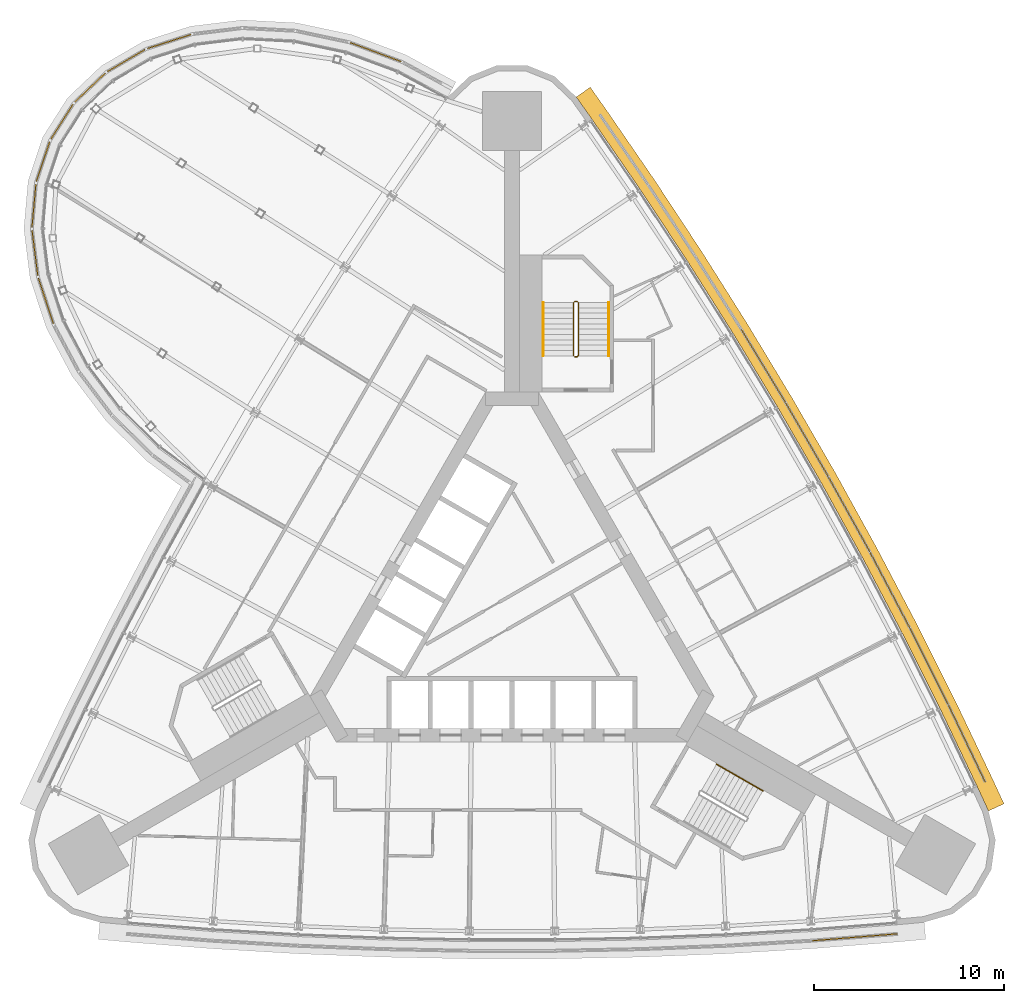
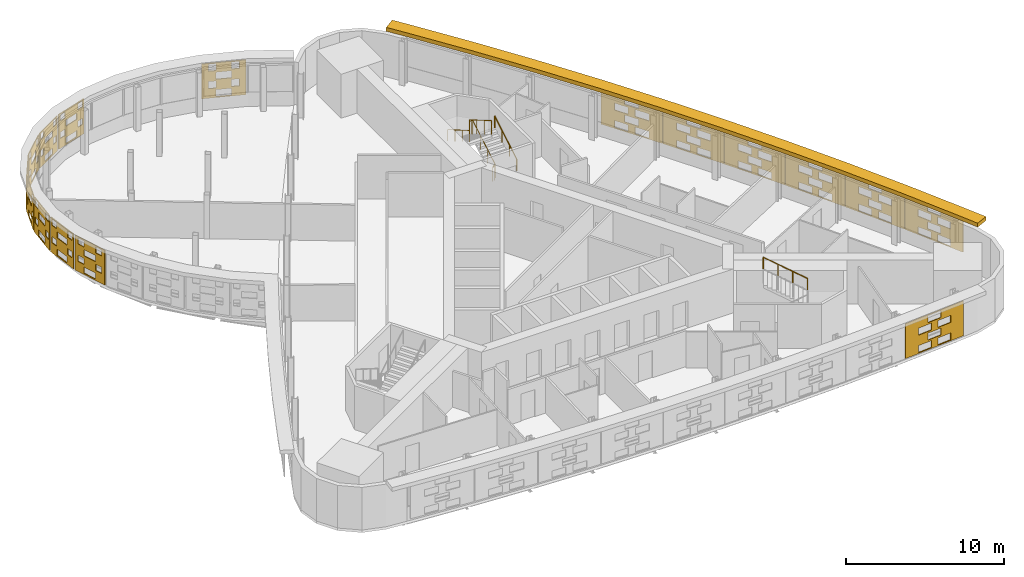
# One storey, part 16 of 17: 17 shading devices, 4 railings.
"""IFC4 building model written with IfcOpenShell, lengths in metres."""

from ifc_helpers import new_model, si_unit, direction, frame, origin, origin_2d, place, context, subcontext, project, spatial, polyline, circle, outline, extrude, material, layer, layer_set, material_profile, profile_set, type_object, element, save


model = new_model("IFC4")

# Units and contexts
model_context = context("Model", 3, precision=1e-05, world=origin(), true_north=direction((0.0, 1.0)))
body_context = subcontext(model_context, "Body", "Model", "MODEL_VIEW")
ifc_project = project(units=[si_unit("LENGTHUNIT", "METRE"), si_unit("AREAUNIT", "SQUARE_METRE"), si_unit("VOLUMEUNIT", "CUBIC_METRE"), si_unit("PLANEANGLEUNIT", "RADIAN"), si_unit("MASSUNIT", "GRAM", prefix="KILO")], contexts=[model_context])

# Site, building, storey
site_placement = place(None, origin())
site = spatial("IfcSite", under=ifc_project, at=site_placement, CompositionType="ELEMENT")
building_placement = place(site_placement, origin())
building = spatial("IfcBuilding", under=site, at=building_placement, Name="Noor Cloister Tower", CompositionType="ELEMENT")
storey_placement = place(building_placement, frame((0.0, 0.0, 95.10009765625)))
storey = spatial("IfcBuildingStorey", under=building, at=storey_placement, Name="L24", CompositionType="ELEMENT", Elevation=95.10009765625)

# Shading devices
ifc_material_1 = material(Name="Limestone", Category="masonry")
ifc_material_profile = material_profile(ifc_material_1, outline(polyline([(-2.22998046875, -1.35009765625), (2.22998046875, -1.35009765625), (2.22998046875, 1.35009765625), (-2.22998046875, 1.35009765625), (-2.22998046875, -1.35009765625)]), holes=[polyline([(-1.25, -1.282470703125), (-0.25, -1.282470703125), (-0.25, -0.742431640625), (-1.25, -0.742431640625), (-1.25, -1.282470703125)]), polyline([(0.25, -1.282470703125), (1.25, -1.282470703125), (1.25, -0.742431640625), (0.25, -0.742431640625), (0.25, -1.282470703125)]), polyline([(-0.5, -0.607421875), (0.5, -0.607421875), (0.5, -0.0673828125), (-0.5, -0.0673828125), (-0.5, -0.607421875)]), polyline([(-1.25, 0.0673828125), (-0.25, 0.0673828125), (-0.25, 0.607421875), (-1.25, 0.607421875), (-1.25, 0.0673828125)]), polyline([(0.25, 0.0673828125), (1.25, 0.0673828125), (1.25, 0.607421875), (0.25, 0.607421875), (0.25, 0.0673828125)]), polyline([(-0.5, 0.742431640625), (0.5, 0.742431640625), (0.5, 1.282470703125), (-0.5, 1.282470703125), (-0.5, 0.742431640625)])]), Name="Woven screen 28 percent open")
ifc_profile_set = profile_set([ifc_material_profile], Name="Limestone")
shading_device_type_1 = type_object("IfcShadingDeviceType", Name="SCREEN woven limestone 28 percent open", PredefinedType="USERDEFINED", material=ifc_profile_set)
for number, where, z_axis, x_axis, name in (
    (1, (18.015869140625, -17.15673828125, 1.849853515625), (0.081362009455, -0.996684615823, 0.0), (0.996684615823, 0.081362009455, 0.0), "SCREEN L24 9"),
    (2, (23.8662109375, -7.02392578125, 1.849853515625), (0.902409201061, 0.430880068975, 0.0), (-0.430880068975, 0.902409201061, 0.0), "SCREEN L24 1"),
    (3, (21.885986328125, -2.973388671875, 1.849853515625), (0.894427191, 0.4472135955, 0.0), (-0.4472135955, 0.894427191, 0.0), "SCREEN L24 2"),
):
    element("IfcShadingDevice", number, at=place(storey_placement, frame(where, z_axis=z_axis, x_axis=x_axis)), inside=storey, type_object=shading_device_type_1, Name=name, ObjectType="SCREEN", PredefinedType="USERDEFINED", context=body_context, shape_type="SweptSolid", body=[
        extrude(outline(polyline([(-2.22998046875, -1.35009765625), (2.22998046875, -1.35009765625), (2.22998046875, 1.35009765625), (-2.22998046875, 1.35009765625), (-2.22998046875, -1.35009765625)]), holes=[polyline([(-1.25, -1.282470703125), (-0.25, -1.282470703125), (-0.25, -0.742431640625), (-1.25, -0.742431640625), (-1.25, -1.282470703125)]), polyline([(0.25, -1.282470703125), (1.25, -1.282470703125), (1.25, -0.742431640625), (0.25, -0.742431640625), (0.25, -1.282470703125)]), polyline([(-0.5, -0.607421875), (0.5, -0.607421875), (0.5, -0.0673828125), (-0.5, -0.0673828125), (-0.5, -0.607421875)]), polyline([(-1.25, 0.0673828125), (-0.25, 0.0673828125), (-0.25, 0.607421875), (-1.25, 0.607421875), (-1.25, 0.0673828125)]), polyline([(0.25, 0.0673828125), (1.25, 0.0673828125), (1.25, 0.607421875), (0.25, 0.607421875), (0.25, 0.0673828125)]), polyline([(-0.5, 0.742431640625), (0.5, 0.742431640625), (0.5, 1.282470703125), (-0.5, 1.282470703125), (-0.5, 0.742431640625)])]), origin(), (0.0, 0.0, 1.0), 0.06005859375),
    ])
shading_device_1_placement = place(storey_placement, frame((19.82666015625, 1.037353515625, 1.849853515625), z_axis=(0.885271944608, 0.465073740486, 0.0), x_axis=(-0.465073740486, 0.885271944608, 0.0)))
element("IfcShadingDevice", 4, at=shading_device_1_placement, inside=storey, type_object=shading_device_type_1, Name="SCREEN L24 3", ObjectType="SCREEN", PredefinedType="USERDEFINED", context=body_context, shape_type="SweptSolid", body=[
    extrude(outline(polyline([(-2.22998046875, -1.35009765625), (2.22998046875, -1.35009765625), (2.22998046875, 1.35009765625), (-2.22998046875, 1.35009765625), (-2.22998046875, -1.35009765625)]), holes=[polyline([(-1.25, -1.282470703125), (-0.25, -1.282470703125), (-0.25, -0.742431640625), (-1.25, -0.742431640625), (-1.25, -1.282470703125)]), polyline([(0.25, -1.282470703125), (1.25, -1.282470703125), (1.25, -0.742431640625), (0.25, -0.742431640625), (0.25, -1.282470703125)]), polyline([(-0.5, -0.607421875), (0.5, -0.607421875), (0.5, -0.0673828125), (-0.5, -0.0673828125), (-0.5, -0.607421875)]), polyline([(-1.25, 0.0673828125), (-0.25, 0.0673828125), (-0.25, 0.607421875), (-1.25, 0.607421875), (-1.25, 0.0673828125)]), polyline([(0.25, 0.0673828125), (1.25, 0.0673828125), (1.25, 0.607421875), (0.25, 0.607421875), (0.25, 0.0673828125)]), polyline([(-0.5, 0.742431640625), (0.5, 0.742431640625), (0.5, 1.282470703125), (-0.5, 1.282470703125), (-0.5, 0.742431640625)])]), origin(), (0.0, 0.0, 1.0), 0.059814453125),
])
for number, where, z_axis, x_axis, name in (
    (5, (17.6884765625, 5.006591796875, 1.849853515625), (0.874923997532, 0.484260259099, 0.0), (-0.484260259099, 0.874923997532, 0.0), "SCREEN L24 4"),
    (6, (15.47265625, 8.93310546875, 1.849853515625), (0.865982457891, 0.500074377092, 0.0), (-0.500074377092, 0.865982457891, 0.0), "SCREEN L24 5"),
):
    element("IfcShadingDevice", number, at=place(storey_placement, frame(where, z_axis=z_axis, x_axis=x_axis)), inside=storey, type_object=shading_device_type_1, Name=name, ObjectType="SCREEN", PredefinedType="USERDEFINED", context=body_context, shape_type="SweptSolid", body=[
        extrude(outline(polyline([(-2.22998046875, -1.35009765625), (2.22998046875, -1.35009765625), (2.22998046875, 1.35009765625), (-2.22998046875, 1.35009765625), (-2.22998046875, -1.35009765625)]), holes=[polyline([(-1.25, -1.282470703125), (-0.25, -1.282470703125), (-0.25, -0.742431640625), (-1.25, -0.742431640625), (-1.25, -1.282470703125)]), polyline([(0.25, -1.282470703125), (1.25, -1.282470703125), (1.25, -0.742431640625), (0.25, -0.742431640625), (0.25, -1.282470703125)]), polyline([(-0.5, -0.607421875), (0.5, -0.607421875), (0.5, -0.0673828125), (-0.5, -0.0673828125), (-0.5, -0.607421875)]), polyline([(-1.25, 0.0673828125), (-0.25, 0.0673828125), (-0.25, 0.607421875), (-1.25, 0.607421875), (-1.25, 0.0673828125)]), polyline([(0.25, 0.0673828125), (1.25, 0.0673828125), (1.25, 0.607421875), (0.25, 0.607421875), (0.25, 0.0673828125)]), polyline([(-0.5, 0.742431640625), (0.5, 0.742431640625), (0.5, 1.282470703125), (-0.5, 1.282470703125), (-0.5, 0.742431640625)])]), origin(), (0.0, 0.0, 1.0), 0.06005859375),
    ])
shading_device_2_placement = place(storey_placement, frame((13.18017578125, 12.8154296875, 1.849853515625), z_axis=(0.855690023312, 0.517488728384, 0.0), x_axis=(-0.517488728384, 0.855690023312, 0.0)))
element("IfcShadingDevice", 7, at=shading_device_2_placement, inside=storey, type_object=shading_device_type_1, Name="SCREEN L24 6", ObjectType="SCREEN", PredefinedType="USERDEFINED", context=body_context, shape_type="SweptSolid", body=[
    extrude(outline(polyline([(-2.22998046875, -1.35009765625), (2.22998046875, -1.35009765625), (2.22998046875, 1.35009765625), (-2.22998046875, 1.35009765625), (-2.22998046875, -1.35009765625)]), holes=[polyline([(-1.25, -1.282470703125), (-0.25, -1.282470703125), (-0.25, -0.742431640625), (-1.25, -0.742431640625), (-1.25, -1.282470703125)]), polyline([(0.25, -1.282470703125), (1.25, -1.282470703125), (1.25, -0.742431640625), (0.25, -0.742431640625), (0.25, -1.282470703125)]), polyline([(-0.5, -0.607421875), (0.5, -0.607421875), (0.5, -0.0673828125), (-0.5, -0.0673828125), (-0.5, -0.607421875)]), polyline([(-1.25, 0.0673828125), (-0.25, 0.0673828125), (-0.25, 0.607421875), (-1.25, 0.607421875), (-1.25, 0.0673828125)]), polyline([(0.25, 0.0673828125), (1.25, 0.0673828125), (1.25, 0.607421875), (0.25, 0.607421875), (0.25, 0.0673828125)]), polyline([(-0.5, 0.742431640625), (0.5, 0.742431640625), (0.5, 1.282470703125), (-0.5, 1.282470703125), (-0.5, 0.742431640625)])]), origin(), (0.0, 0.0, 1.0), 0.059814453125),
])
ifc_material_2 = material(Name="Limestone", Category="masonry")
ifc_layer = layer(ifc_material_2, 0.06005859375)
ifc_layer_set = layer_set([ifc_layer], Name="SCREEN woven limestone pod 28 percent open")
shading_device_type_2 = type_object("IfcShadingDeviceType", Name="SCREEN woven limestone pod 28 percent open", PredefinedType="USERDEFINED", material=ifc_layer_set)
shading_device_3_placement = place(storey_placement, frame((-7.169677734375, 29.285888671875, 1.849853515625), z_axis=(0.348899454527, 0.937160162742, 0.0), x_axis=(-0.937160162742, 0.348899454527, 0.0)))
element("IfcShadingDevice", 8, at=shading_device_3_placement, inside=storey, type_object=shading_device_type_2, Name="SCREEN L24 2", ObjectType="SCREEN", PredefinedType="USERDEFINED", context=body_context, shape_type="SweptSolid", body=[
    extrude(outline(polyline([(-1.431640625, -1.35009765625), (1.431640625, -1.35009765625), (1.431640625, 1.35009765625), (-1.431640625, 1.35009765625), (-1.431640625, -1.35009765625)]), holes=[polyline([(-0.5, -1.282470703125), (0.5, -1.282470703125), (0.5, -0.742431640625), (-0.5, -0.742431640625), (-0.5, -1.282470703125)]), polyline([(-1.0, -0.607421875), (-0.5, -0.607421875), (-0.5, -0.0673828125), (-1.0, -0.0673828125), (-1.0, -0.607421875)]), polyline([(0.5, -0.607421875), (1.0, -0.607421875), (1.0, -0.0673828125), (0.5, -0.0673828125), (0.5, -0.607421875)]), polyline([(-0.5, 0.0673828125), (0.5, 0.0673828125), (0.5, 0.607421875), (-0.5, 0.607421875), (-0.5, 0.0673828125)]), polyline([(-1.0, 0.742431640625), (-0.5, 0.742431640625), (-0.5, 1.282470703125), (-1.0, 1.282470703125), (-1.0, 0.742431640625)]), polyline([(0.5, 0.742431640625), (1.0, 0.742431640625), (1.0, 1.282470703125), (0.5, 1.282470703125), (0.5, 0.742431640625)])]), origin(), (0.0, 0.0, 1.0), 0.06005859375),
])
shading_device_4_placement = place(storey_placement, frame((-17.99951171875, 29.841796875, 1.849853515625), z_axis=(-0.305218682065, 0.952282288042, 0.0), x_axis=(-0.952282288042, -0.305218682065, 0.0)))
element("IfcShadingDevice", 9, at=shading_device_4_placement, inside=storey, type_object=shading_device_type_2, Name="SCREEN L24 6", ObjectType="SCREEN", PredefinedType="USERDEFINED", context=body_context, shape_type="SweptSolid", body=[
    extrude(outline(polyline([(-1.198486328125, -1.35009765625), (1.198486328125, -1.35009765625), (1.198486328125, 1.35009765625), (-1.198486328125, 1.35009765625), (-1.198486328125, -1.35009765625)]), holes=[polyline([(-0.5, -1.251220703125), (0.5, -1.251220703125), (0.5, -0.773681640625), (-0.5, -0.773681640625), (-0.5, -1.251220703125)]), polyline([(0.60009765625, -0.576416015625), (1.048583984375, -0.576416015625), (1.048583984375, -0.0986328125), (0.60009765625, -0.0986328125), (0.60009765625, -0.576416015625)]), polyline([(-1.048583984375, -0.576416015625), (-0.60009765625, -0.576416015625), (-0.60009765625, -0.0986328125), (-1.048583984375, -0.0986328125), (-1.048583984375, -0.576416015625)]), polyline([(-0.5, 0.0986328125), (0.5, 0.0986328125), (0.5, 0.576416015625), (-0.5, 0.576416015625), (-0.5, 0.0986328125)]), polyline([(0.60009765625, 0.773681640625), (1.048583984375, 0.773681640625), (1.048583984375, 1.251220703125), (0.60009765625, 1.251220703125), (0.60009765625, 0.773681640625)]), polyline([(-1.048583984375, 0.773681640625), (-0.60009765625, 0.773681640625), (-0.60009765625, 1.251220703125), (-1.048583984375, 1.251220703125), (-1.048583984375, 0.773681640625)])]), origin(), (0.0, 0.0, 1.0), 0.06005859375),
])
shading_device_5_placement = place(storey_placement, frame((-20.248291015625, 28.844970703125, 1.849853515625), z_axis=(-0.504883315038, 0.863187603129, 0.0), x_axis=(-0.863187603129, -0.504883315038, 0.0)))
element("IfcShadingDevice", 10, at=shading_device_5_placement, inside=storey, type_object=shading_device_type_2, Name="SCREEN L24 7", ObjectType="SCREEN", PredefinedType="USERDEFINED", context=body_context, shape_type="SweptSolid", body=[
    extrude(outline(polyline([(-1.13916015625, -1.35009765625), (1.13916015625, -1.35009765625), (1.13916015625, 1.35009765625), (-1.13916015625, 1.35009765625), (-1.13916015625, -1.35009765625)]), holes=[polyline([(-0.5, -1.254638671875), (0.5, -1.254638671875), (0.5, -0.770263671875), (-0.5, -0.770263671875), (-0.5, -1.254638671875)]), polyline([(0.60009765625, -0.57958984375), (0.9892578125, -0.57958984375), (0.9892578125, -0.095458984375), (0.60009765625, -0.095458984375), (0.60009765625, -0.57958984375)]), polyline([(-0.9892578125, -0.57958984375), (-0.60009765625, -0.57958984375), (-0.60009765625, -0.095458984375), (-0.9892578125, -0.095458984375), (-0.9892578125, -0.57958984375)]), polyline([(-0.5, 0.095458984375), (0.5, 0.095458984375), (0.5, 0.57958984375), (-0.5, 0.57958984375), (-0.5, 0.095458984375)]), polyline([(0.60009765625, 0.770263671875), (0.9892578125, 0.770263671875), (0.9892578125, 1.254638671875), (0.60009765625, 1.254638671875), (0.60009765625, 0.770263671875)]), polyline([(-0.9892578125, 0.770263671875), (-0.60009765625, 0.770263671875), (-0.60009765625, 1.254638671875), (-0.9892578125, 1.254638671875), (-0.9892578125, 0.770263671875)])]), origin(), (0.0, 0.0, 1.0), 0.06005859375),
])
shading_device_6_placement = place(storey_placement, frame((-22.145263671875, 27.42919921875, 1.849853515625), z_axis=(-0.688535283471, 0.725202842945, 0.0), x_axis=(-0.725202842945, -0.688535283471, 0.0)))
element("IfcShadingDevice", 11, at=shading_device_6_placement, inside=storey, type_object=shading_device_type_2, Name="SCREEN L24 8", ObjectType="SCREEN", PredefinedType="USERDEFINED", context=body_context, shape_type="SweptSolid", body=[
    extrude(outline(polyline([(-1.098388671875, -1.35009765625), (1.098388671875, -1.35009765625), (1.098388671875, 1.35009765625), (-1.098388671875, 1.35009765625), (-1.098388671875, -1.35009765625)]), holes=[polyline([(-0.5, -1.257080078125), (0.5, -1.257080078125), (0.5, -0.767822265625), (-0.5, -0.767822265625), (-0.5, -1.257080078125)]), polyline([(0.60009765625, -0.582275390625), (0.948486328125, -0.582275390625), (0.948486328125, -0.0927734375), (0.60009765625, -0.0927734375), (0.60009765625, -0.582275390625)]), polyline([(-0.948486328125, -0.582275390625), (-0.60009765625, -0.582275390625), (-0.60009765625, -0.0927734375), (-0.948486328125, -0.0927734375), (-0.948486328125, -0.582275390625)]), polyline([(-0.5, 0.0927734375), (0.5, 0.0927734375), (0.5, 0.582275390625), (-0.5, 0.582275390625), (-0.5, 0.0927734375)]), polyline([(0.60009765625, 0.767822265625), (0.948486328125, 0.767822265625), (0.948486328125, 1.257080078125), (0.60009765625, 1.257080078125), (0.60009765625, 0.767822265625)]), polyline([(-0.948486328125, 0.767822265625), (-0.60009765625, 0.767822265625), (-0.60009765625, 1.257080078125), (-0.948486328125, 1.257080078125), (-0.948486328125, 0.767822265625)])]), origin(), (0.0, 0.0, 1.0), 0.059814453125),
])
shading_device_7_placement = place(storey_placement, frame((-23.617919921875, 25.642578125, 1.849853515625), z_axis=(-0.844329420183, 0.535824439731, 0.0), x_axis=(-0.535824439731, -0.844329420183, 0.0)))
element("IfcShadingDevice", 12, at=shading_device_7_placement, inside=storey, type_object=shading_device_type_2, Name="SCREEN L24 9", ObjectType="SCREEN", PredefinedType="USERDEFINED", context=body_context, shape_type="SweptSolid", body=[
    extrude(outline(polyline([(-1.083740234375, -1.35009765625), (1.083740234375, -1.35009765625), (1.083740234375, 1.35009765625), (-1.083740234375, 1.35009765625), (-1.083740234375, -1.35009765625)]), holes=[polyline([(-0.5, -1.258056640625), (0.5, -1.258056640625), (0.5, -0.766845703125), (-0.5, -0.766845703125), (-0.5, -1.258056640625)]), polyline([(0.60009765625, -0.583251953125), (0.933837890625, -0.583251953125), (0.933837890625, -0.091796875), (0.60009765625, -0.091796875), (0.60009765625, -0.583251953125)]), polyline([(-0.933837890625, -0.583251953125), (-0.60009765625, -0.583251953125), (-0.60009765625, -0.091796875), (-0.933837890625, -0.091796875), (-0.933837890625, -0.583251953125)]), polyline([(-0.5, 0.091796875), (0.5, 0.091796875), (0.5, 0.583251953125), (-0.5, 0.583251953125), (-0.5, 0.091796875)]), polyline([(0.60009765625, 0.766845703125), (0.933837890625, 0.766845703125), (0.933837890625, 1.258056640625), (0.60009765625, 1.258056640625), (0.60009765625, 0.766845703125)]), polyline([(-0.933837890625, 0.766845703125), (-0.60009765625, 0.766845703125), (-0.60009765625, 1.258056640625), (-0.933837890625, 1.258056640625), (-0.933837890625, 0.766845703125)])]), origin(), (0.0, 0.0, 1.0), 0.06005859375),
])
shading_device_8_placement = place(storey_placement, frame((-24.610107421875, 23.55029296875, 1.849853515625), z_axis=(-0.94827552716, 0.317448459736, 0.0), x_axis=(-0.317448459736, -0.94827552716, 0.0)))
element("IfcShadingDevice", 13, at=shading_device_8_placement, inside=storey, type_object=shading_device_type_2, Name="SCREEN L24 10", ObjectType="SCREEN", PredefinedType="USERDEFINED", context=body_context, shape_type="SweptSolid", body=[
    extrude(outline(polyline([(-1.098388671875, -1.35009765625), (1.098388671875, -1.35009765625), (1.098388671875, 1.35009765625), (-1.098388671875, 1.35009765625), (-1.098388671875, -1.35009765625)]), holes=[polyline([(-0.5, -1.257080078125), (0.5, -1.257080078125), (0.5, -0.767822265625), (-0.5, -0.767822265625), (-0.5, -1.257080078125)]), polyline([(0.60009765625, -0.582275390625), (0.948486328125, -0.582275390625), (0.948486328125, -0.0927734375), (0.60009765625, -0.0927734375), (0.60009765625, -0.582275390625)]), polyline([(-0.948486328125, -0.582275390625), (-0.60009765625, -0.582275390625), (-0.60009765625, -0.0927734375), (-0.948486328125, -0.0927734375), (-0.948486328125, -0.582275390625)]), polyline([(-0.5, 0.0927734375), (0.5, 0.0927734375), (0.5, 0.582275390625), (-0.5, 0.582275390625), (-0.5, 0.0927734375)]), polyline([(0.60009765625, 0.767822265625), (0.948486328125, 0.767822265625), (0.948486328125, 1.257080078125), (0.60009765625, 1.257080078125), (0.60009765625, 0.767822265625)]), polyline([(-0.948486328125, 0.767822265625), (-0.60009765625, 0.767822265625), (-0.60009765625, 1.257080078125), (-0.948486328125, 1.257080078125), (-0.948486328125, 0.767822265625)])]), origin(), (0.0, 0.0, 1.0), 0.06005859375),
])
shading_device_9_placement = place(storey_placement, frame((-25.08642578125, 21.23193359375, 1.849853515625), z_axis=(-0.995959849254, 0.089799658539, 0.0), x_axis=(-0.089799658539, -0.995959849254, 0.0)))
element("IfcShadingDevice", 14, at=shading_device_9_placement, inside=storey, type_object=shading_device_type_2, Name="SCREEN L24 11", ObjectType="SCREEN", PredefinedType="USERDEFINED", context=body_context, shape_type="SweptSolid", body=[
    extrude(outline(polyline([(-1.13916015625, -1.35009765625), (1.13916015625, -1.35009765625), (1.13916015625, 1.35009765625), (-1.13916015625, 1.35009765625), (-1.13916015625, -1.35009765625)]), holes=[polyline([(-0.5, -1.254638671875), (0.5, -1.254638671875), (0.5, -0.770263671875), (-0.5, -0.770263671875), (-0.5, -1.254638671875)]), polyline([(0.60009765625, -0.57958984375), (0.9892578125, -0.57958984375), (0.9892578125, -0.095458984375), (0.60009765625, -0.095458984375), (0.60009765625, -0.57958984375)]), polyline([(-0.9892578125, -0.57958984375), (-0.60009765625, -0.57958984375), (-0.60009765625, -0.095458984375), (-0.9892578125, -0.095458984375), (-0.9892578125, -0.57958984375)]), polyline([(-0.5, 0.095458984375), (0.5, 0.095458984375), (0.5, 0.57958984375), (-0.5, 0.57958984375), (-0.5, 0.095458984375)]), polyline([(0.60009765625, 0.770263671875), (0.9892578125, 0.770263671875), (0.9892578125, 1.254638671875), (0.60009765625, 1.254638671875), (0.60009765625, 0.770263671875)]), polyline([(-0.9892578125, 0.770263671875), (-0.60009765625, 0.770263671875), (-0.60009765625, 1.254638671875), (-0.9892578125, 1.254638671875), (-0.9892578125, 0.770263671875)])]), origin(), (0.0, 0.0, 1.0), 0.059814453125),
])
shading_device_10_placement = place(storey_placement, frame((-25.033935546875, 18.7724609375, 1.849853515625), z_axis=(-0.992025662364, -0.126036047268, 0.0), x_axis=(0.126036047268, -0.992025662364, 0.0)))
element("IfcShadingDevice", 15, at=shading_device_10_placement, inside=storey, type_object=shading_device_type_2, Name="SCREEN L24 12", ObjectType="SCREEN", PredefinedType="USERDEFINED", context=body_context, shape_type="SweptSolid", body=[
    extrude(outline(polyline([(-1.198486328125, -1.35009765625), (1.198486328125, -1.35009765625), (1.198486328125, 1.35009765625), (-1.198486328125, 1.35009765625), (-1.198486328125, -1.35009765625)]), holes=[polyline([(-0.5, -1.251220703125), (0.5, -1.251220703125), (0.5, -0.773681640625), (-0.5, -0.773681640625), (-0.5, -1.251220703125)]), polyline([(0.60009765625, -0.576416015625), (1.048583984375, -0.576416015625), (1.048583984375, -0.0986328125), (0.60009765625, -0.0986328125), (0.60009765625, -0.576416015625)]), polyline([(-1.048583984375, -0.576416015625), (-0.60009765625, -0.576416015625), (-0.60009765625, -0.0986328125), (-1.048583984375, -0.0986328125), (-1.048583984375, -0.576416015625)]), polyline([(-0.5, 0.0986328125), (0.5, 0.0986328125), (0.5, 0.576416015625), (-0.5, 0.576416015625), (-0.5, 0.0986328125)]), polyline([(0.60009765625, 0.773681640625), (1.048583984375, 0.773681640625), (1.048583984375, 1.251220703125), (0.60009765625, 1.251220703125), (0.60009765625, 0.773681640625)]), polyline([(-1.048583984375, 0.773681640625), (-0.60009765625, 0.773681640625), (-0.60009765625, 1.251220703125), (-1.048583984375, 1.251220703125), (-1.048583984375, 0.773681640625)])]), origin(), (0.0, 0.0, 1.0), 0.06005859375),
])
shading_device_11_placement = place(storey_placement, frame((-24.46044921875, 16.257568359375, 1.849853515625), z_axis=(-0.949495164524, -0.313781663813, 0.0), x_axis=(0.313781663813, -0.949495164524, 0.0)))
element("IfcShadingDevice", 16, at=shading_device_11_placement, inside=storey, type_object=shading_device_type_2, Name="SCREEN L24 13", ObjectType="SCREEN", PredefinedType="USERDEFINED", context=body_context, shape_type="SweptSolid", body=[
    extrude(outline(polyline([(-1.266357421875, -1.35009765625), (1.266357421875, -1.35009765625), (1.266357421875, 1.35009765625), (-1.266357421875, 1.35009765625), (-1.266357421875, -1.35009765625)]), holes=[polyline([(-0.5, -1.251708984375), (0.5, -1.251708984375), (0.5, -0.773193359375), (-0.5, -0.773193359375), (-0.5, -1.251708984375)]), polyline([(-1.0, -0.576904296875), (-0.5, -0.576904296875), (-0.5, -0.09814453125), (-1.0, -0.09814453125), (-1.0, -0.576904296875)]), polyline([(0.5, -0.576904296875), (1.0, -0.576904296875), (1.0, -0.09814453125), (0.5, -0.09814453125), (0.5, -0.576904296875)]), polyline([(-0.5, 0.09814453125), (0.5, 0.09814453125), (0.5, 0.576904296875), (-0.5, 0.576904296875), (-0.5, 0.09814453125)]), polyline([(-1.0, 0.773193359375), (-0.5, 0.773193359375), (-0.5, 1.251708984375), (-1.0, 1.251708984375), (-1.0, 0.773193359375)]), polyline([(0.5, 0.773193359375), (1.0, 0.773193359375), (1.0, 1.251708984375), (0.5, 1.251708984375), (0.5, 0.773193359375)])]), origin(), (0.0, 0.0, 1.0), 0.059814453125),
])
ifc_material_3 = material(Name="Limestone", Category="masonry")
shading_device_type_3 = type_object("IfcShadingDeviceType", Name="SUNSHADE limestone band 900", PredefinedType="USERDEFINED", material=ifc_material_3)
shading_device_12_placement = place(storey_placement, frame((0.0, 0.0, 3.2998046875)))
element("IfcShadingDevice", 17, at=shading_device_12_placement, inside=storey, type_object=shading_device_type_3, Name="SUNSHADE L24 3", ObjectType="SUNSHADE", PredefinedType="USERDEFINED", context=body_context, shape_type="SweptSolid", body=[
    extrude(outline(polyline([(25.846923828125, -10.17626953125), (25.2431640625, -8.866455078125), (23.30029296875, -4.791259765625), (21.2763671875, -0.75244140625), (19.17333984375, 3.245849609375), (16.991943359375, 7.201904296875), (14.733154296875, 11.114501953125), (12.397705078125, 14.981689453125), (9.986572265625, 18.802001953125), (7.5009765625, 22.57421875), (4.943115234375, 26.29443359375), (4.110595703125, 27.47216796875), (3.37548828125, 26.95263671875), (4.204833984375, 25.77978515625), (6.754150390625, 22.07177734375), (9.230224609375, 18.314208984375), (11.6318359375, 14.5087890625), (13.9580078125, 10.65673828125), (16.2080078125, 6.759765625), (18.380859375, 2.819091796875), (20.475830078125, -1.16357421875), (22.49169921875, -5.1865234375), (24.42822265625, -9.24853515625), (25.029541015625, -10.552978515625), (25.846923828125, -10.17626953125)])), origin(), (0.0, 0.0, 1.0), 0.300048828125),
])

# Railings
ifc_material_4 = material(Name="Stainless steel", Category="steel")
railing_type_1 = type_object("IfcRailingType", Name="Stair guard 1100", PredefinedType="GUARDRAIL", material=ifc_material_4)
railing_1_placement = place(storey_placement, frame((3.435546875, 13.306396484375, 0.0)))
element("IfcRailing", 18, at=railing_1_placement, inside=storey, type_object=railing_type_1, Name="Stair guard ST1 L24", PredefinedType="GUARDRAIL", context=body_context, shape_type="SweptSolid", body=[
    extrude(circle(Radius=0.02392578125, at=origin_2d()), frame((0.0, 0.0, 1.076171875), z_axis=(-1.0, 0.0, 0.0), x_axis=(0.0, -1.0, 0.0)), (0.0, 0.0, 1.0), 0.14990234375),
    extrude(circle(Radius=0.02392578125, at=origin_2d()), frame((-0.14990234375, 0.0, 1.076171875), z_axis=(0.759870394187, 0.190199549216, 0.621627795), x_axis=(-0.242814311512, 0.970072785993, 0.0)), (0.0, 0.0, 1.0), 0.26318359375),
    extrude(circle(Radius=0.02392578125, at=origin_2d()), frame((0.050048828125, 0.050048828125, 1.23974609375), z_axis=(0.0, 0.863393664356, 0.504530851732), x_axis=(-1.0, 0.0, 0.0)), (0.0, 0.0, 1.0), 3.2431640625),
    extrude(circle(Radius=0.02392578125, at=origin_2d()), frame((0.050048828125, 2.85009765625, 2.8759765625), z_axis=(-0.708833529934, 0.705375805398, 0.0), x_axis=(-0.705375805398, -0.708833529934, 0.0)), (0.0, 0.0, 1.0), 0.070556640625),
    extrude(circle(Radius=0.02392578125, at=origin_2d()), frame((0.0, 2.89990234375, 2.8759765625), z_axis=(-1.0, 0.0, 0.0), x_axis=(0.0, -1.0, 0.0)), (0.0, 0.0, 1.0), 0.14990234375),
    extrude(circle(Radius=0.02392578125, at=origin_2d()), frame((-0.14990234375, 2.89990234375, 2.8759765625), z_axis=(-0.280563532951, -0.279194930351, 0.91833234444), x_axis=(0.705375805398, -0.708833529934, 0.0)), (0.0, 0.0, 1.0), 0.178466796875),
    extrude(circle(Radius=0.02392578125, at=origin_2d()), frame((-0.199951171875, 2.85009765625, 3.03955078125), z_axis=(0.0, -0.863393664356, 0.504530851732), x_axis=(1.0, 0.0, 0.0)), (0.0, 0.0, 1.0), 3.2431640625),
    extrude(circle(Radius=0.02099609375, at=origin_2d()), origin(), (0.0, 0.0, 1.0), 1.052001953125),
    extrude(circle(Radius=0.02099609375, at=origin_2d()), frame((-0.14990234375, 0.0, 0.0)), (0.0, 0.0, 1.0), 1.052001953125),
    extrude(circle(Radius=0.02099609375, at=origin_2d()), frame((0.050048828125, 0.050048828125, 0.16357421875)), (0.0, 0.0, 1.0), 1.052001953125),
    extrude(circle(Radius=0.02099609375, at=origin_2d()), frame((0.050048828125, 0.9833984375, 0.708984375)), (0.0, 0.0, 1.0), 1.052001953125),
    extrude(circle(Radius=0.02099609375, at=origin_2d()), frame((0.050048828125, 1.916748046875, 1.25439453125)), (0.0, 0.0, 1.0), 1.052001953125),
    extrude(circle(Radius=0.02099609375, at=origin_2d()), frame((0.050048828125, 2.85009765625, 1.7998046875)), (0.0, 0.0, 1.0), 1.052001953125),
    extrude(circle(Radius=0.02099609375, at=origin_2d()), frame((0.0, 2.89990234375, 1.7998046875)), (0.0, 0.0, 1.0), 1.052001953125),
    extrude(circle(Radius=0.02099609375, at=origin_2d()), frame((-0.14990234375, 2.89990234375, 1.7998046875)), (0.0, 0.0, 1.0), 1.052001953125),
    extrude(circle(Radius=0.02099609375, at=origin_2d()), frame((-0.199951171875, 2.85009765625, 1.963623046875)), (0.0, 0.0, 1.0), 1.052001953125),
    extrude(circle(Radius=0.02099609375, at=origin_2d()), frame((-0.199951171875, 1.916748046875, 2.509033203125)), (0.0, 0.0, 1.0), 1.052001953125),
    extrude(circle(Radius=0.02099609375, at=origin_2d()), frame((-0.199951171875, 0.9833984375, 3.054443359375)), (0.0, 0.0, 1.0), 1.052001953125),
    extrude(circle(Radius=0.02099609375, at=origin_2d()), frame((-0.199951171875, 0.050048828125, 3.599853515625)), (0.0, 0.0, 1.0), 1.052001953125),
])
ifc_material_5 = material(Name="Stainless steel", Category="steel")
railing_type_2 = type_object("IfcRailingType", Name="Stair handrail 900", PredefinedType="HANDRAIL", material=ifc_material_5)
railing_2_placement = place(storey_placement, frame((5.085693359375, 13.3564453125, 0.16357421875)))
element("IfcRailing", 19, at=railing_2_placement, inside=storey, type_object=railing_type_2, Name="Stair handrail ST1 L24 1", PredefinedType="HANDRAIL", context=body_context, shape_type="SweptSolid", body=[
    extrude(circle(Radius=0.02392578125, at=origin_2d()), frame((0.0, 0.0, 0.8759765625), z_axis=(0.0, 0.863393664356, 0.504530851732), x_axis=(-1.0, 0.0, 0.0)), (0.0, 0.0, 1.0), 3.2431640625),
    extrude(circle(Radius=0.02099609375, at=origin_2d()), origin(), (0.0, 0.0, 1.0), 0.851806640625),
    extrude(circle(Radius=0.02099609375, at=origin_2d()), frame((0.0, 0.933349609375, 0.54541015625)), (0.0, 0.0, 1.0), 0.851806640625),
    extrude(circle(Radius=0.02099609375, at=origin_2d()), frame((0.0, 1.86669921875, 1.0908203125)), (0.0, 0.0, 1.0), 0.851806640625),
    extrude(circle(Radius=0.02099609375, at=origin_2d()), frame((0.0, 2.800048828125, 1.63623046875)), (0.0, 0.0, 1.0), 0.851806640625),
])
railing_3_placement = place(storey_placement, frame((1.6357421875, 16.156494140625, 1.963623046875)))
element("IfcRailing", 20, at=railing_3_placement, inside=storey, type_object=railing_type_2, Name="Stair handrail ST1 L24 2", PredefinedType="HANDRAIL", context=body_context, shape_type="SweptSolid", body=[
    extrude(circle(Radius=0.02392578125, at=origin_2d()), frame((0.0, 0.0, 0.8759765625), z_axis=(0.0, -0.863393664356, 0.504530851732), x_axis=(1.0, 0.0, 0.0)), (0.0, 0.0, 1.0), 3.2431640625),
    extrude(circle(Radius=0.02099609375, at=origin_2d()), origin(), (0.0, 0.0, 1.0), 0.851806640625),
    extrude(circle(Radius=0.02099609375, at=origin_2d()), frame((0.0, -0.933349609375, 0.54541015625)), (0.0, 0.0, 1.0), 0.851806640625),
    extrude(circle(Radius=0.02099609375, at=origin_2d()), frame((0.0, -1.86669921875, 1.0908203125)), (0.0, 0.0, 1.0), 0.851806640625),
    extrude(circle(Radius=0.02099609375, at=origin_2d()), frame((0.0, -2.800048828125, 1.63623046875)), (0.0, 0.0, 1.0), 0.851806640625),
])
railing_4_placement = place(storey_placement, frame((13.174072265625, -9.49462890625, 1.963623046875)))
element("IfcRailing", 21, at=railing_4_placement, inside=storey, type_object=railing_type_2, Name="Stair handrail ST3 L24 2", PredefinedType="HANDRAIL", context=body_context, shape_type="SweptSolid", body=[
    extrude(circle(Radius=0.02392578125, at=origin_2d()), frame((0.0, 0.0, 0.8759765625), z_axis=(-0.74771821388, 0.431677027627, 0.504551698492), x_axis=(-0.49998411664, -0.866034573852, 0.0)), (0.0, 0.0, 1.0), 3.242919921875),
    extrude(circle(Radius=0.02099609375, at=origin_2d()), origin(), (0.0, 0.0, 1.0), 0.851806640625),
    extrude(circle(Radius=0.02099609375, at=origin_2d()), frame((-0.808349609375, 0.466552734375, 0.54541015625)), (0.0, 0.0, 1.0), 0.851806640625),
    extrude(circle(Radius=0.02099609375, at=origin_2d()), frame((-1.616455078125, 0.933349609375, 1.0908203125)), (0.0, 0.0, 1.0), 0.851806640625),
    extrude(circle(Radius=0.02099609375, at=origin_2d()), frame((-2.4248046875, 1.39990234375, 1.63623046875)), (0.0, 0.0, 1.0), 0.851806640625),
])

save(model, "model.ifc")
